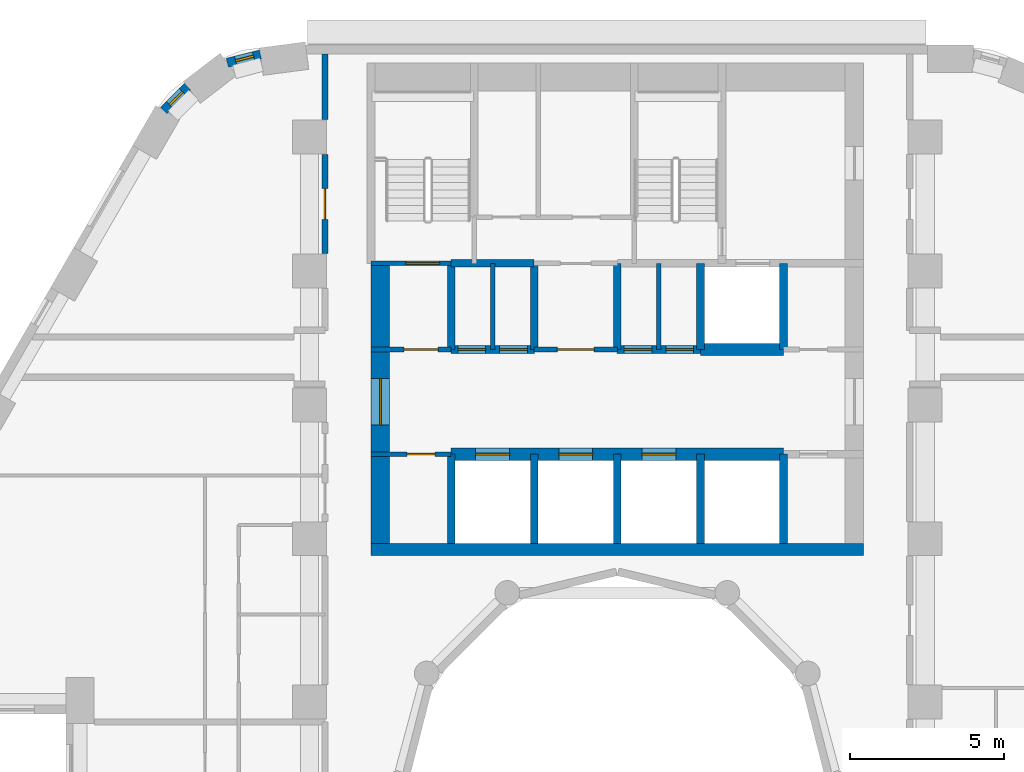
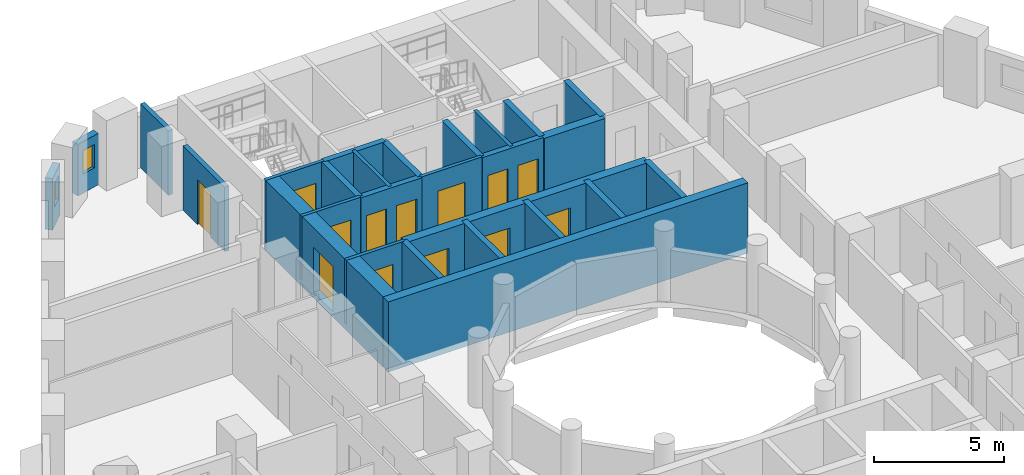
# One storey, part 7 of 12: 27 walls, 13 doors, 2 windows, 15 openings.
"""IFC4 building model written with IfcOpenShell, lengths in metres."""

from ifc_helpers import new_model, si_unit, direction, frame, frame_2d, origin, place, context, subcontext, project, spatial, rectangle, extrude, material, layer, layer_set, type_object, element, fill, save


model = new_model("IFC4")

# Units and contexts
model_context = context("Model", 3, precision=1e-05, world=origin(), true_north=direction((0.0, 1.0)))
body_context = subcontext(model_context, "Body", "Model", "MODEL_VIEW")
ifc_project = project(units=[si_unit("LENGTHUNIT", "METRE"), si_unit("AREAUNIT", "SQUARE_METRE"), si_unit("VOLUMEUNIT", "CUBIC_METRE"), si_unit("PLANEANGLEUNIT", "RADIAN"), si_unit("MASSUNIT", "GRAM", prefix="KILO")], contexts=[model_context])

# Site, building, storey
site_placement = place(None, origin())
site = spatial("IfcSite", under=ifc_project, at=site_placement, CompositionType="ELEMENT")
building_placement = place(site_placement, origin())
building = spatial("IfcBuilding", under=site, at=building_placement, Name="Nakaniwa Court", CompositionType="ELEMENT")
storey_placement = place(building_placement, frame((0.0, 0.0, 51.300048828125)))
storey = spatial("IfcBuildingStorey", under=building, at=storey_placement, Name="L13", CompositionType="ELEMENT", Elevation=51.300048828125)

# Wall, opening, door
ifc_material_1 = material(Name="Acoustic double stud partition")
ifc_layer_1 = layer(ifc_material_1, 0.199951171875)
ifc_layer_set_1 = layer_set([ifc_layer_1], Name="Acoustic double stud partition")
wall_type_1 = type_object("IfcWallType", Name="Acoustic double stud partition 200", PredefinedType="PARTITIONING", material=ifc_layer_set_1)
wall_1_placement = place(storey_placement, frame((70.5, 97.217041015625, 0.0), z_axis=(0.0, 0.0, 1.0), x_axis=(0.0, 1.0, 0.0)))
wall_1 = element("IfcWall", 1, at=wall_1_placement, inside=storey, type_object=wall_type_1, Name="Partition PW-109", PredefinedType="PARTITIONING", context=body_context, shape_type="SweptSolid", body=[
    extrude(rectangle(XDim=3.216064453125, YDim=0.199951171875, at=frame_2d((1.60791015625, 0.0))), origin(), (0.0, 0.0, 1.0), 3.02490234375),
])
opening_1_placement = place(wall_1_placement, frame((1.10791015625, 0.0, 0.0)))
opening_1 = element("IfcOpeningElement", 2, at=opening_1_placement, cuts=wall_1, Name="Opening D-02-04", PredefinedType="OPENING", context=body_context, shape_type="SweptSolid", body=[
    extrude(rectangle(XDim=1.0, YDim=2.10009765625, at=frame_2d((0.5, 1.050048828125))), frame((0.0, 0.10986328125, 0.0), z_axis=(0.0, -1.0, 0.0), x_axis=(1.0, 0.0, 0.0)), (0.0, 0.0, 1.0), 0.219970703125),
])
ifc_material_2 = material(Name="Solid core timber door set, black veneer", Category="wood")
door_type_1 = type_object("IfcDoorType", Name="Internal door 1000", OperationType="NOTDEFINED", PredefinedType="DOOR", material=ifc_material_2)
door_1_placement = place(opening_1_placement, origin())
door_1 = element("IfcDoor", 3, at=door_1_placement, inside=storey, type_object=door_type_1, Name="Door D-02-04 L13-052", OperationType="SINGLE_SWING_LEFT", OverallHeight=2.10009765625, OverallWidth=1.0, PredefinedType="DOOR", context=body_context, shape_type="SweptSolid", body=[
    extrude(rectangle(XDim=1.0, YDim=2.10009765625, at=frame_2d((0.5, 1.050048828125))), frame((0.0, 0.02490234375, 0.0), z_axis=(0.0, -1.0, 0.0), x_axis=(1.0, 0.0, 0.0)), (0.0, 0.0, 1.0), 0.050048828125),
])
fill(opening_1, door_1)

# Wall
wall_2_placement = place(storey_placement, frame((70.5, 101.56689453125, 0.0), z_axis=(0.0, 0.0, 1.0), x_axis=(0.0, 1.0, 0.0)))
element("IfcWall", 4, at=wall_2_placement, inside=storey, type_object=wall_type_1, Name="Partition PW-110", PredefinedType="PARTITIONING", context=body_context, shape_type="SweptSolid", body=[
    extrude(rectangle(XDim=2.133056640625, YDim=0.199951171875, at=frame_2d((1.06640625, 0.0))), origin(), (0.0, 0.0, 1.0), 3.02490234375),
])

# Wall, opening, window
ifc_material_3 = material(Name="Charcoal ceramic cladding")
ifc_layer_2 = layer(ifc_material_3, 0.02, Name="Ceramic cladding")
ifc_material_4 = material(Name="Ventilated air cavity")
ifc_layer_3 = layer(ifc_material_4, 0.04, ventilated=True, Name="Ventilated cavity")
ifc_material_5 = material(Name="Mineral wool insulation")
ifc_layer_4 = layer(ifc_material_5, 0.1, Name="Insulation")
ifc_material_6 = material(Name="Cement bonded sheathing board")
ifc_layer_5 = layer(ifc_material_6, 0.012, Name="Sheathing")
ifc_material_7 = material(Name="Cold-formed galvanised stud frame with mineral wool infill")
ifc_layer_6 = layer(ifc_material_7, 0.1, Name="Stud frame")
ifc_material_8 = material(Name="Fire-rated gypsum plasterboard lining")
ifc_layer_7 = layer(ifc_material_8, 0.028, Name="Lining")
ifc_layer_set_2 = layer_set([ifc_layer_2, ifc_layer_3, ifc_layer_4, ifc_layer_5, ifc_layer_6, ifc_layer_7], Name="Charcoal ceramic faced external wall system")
wall_type_2 = type_object("IfcWallType", Name="Black ceramic faced external wall 300", PredefinedType="SOLIDWALL", material=ifc_layer_set_2)
wall_3_placement = place(storey_placement, frame((68.4052734375, 103.68310546875, 0.0), z_axis=(0.0, 0.0, 1.0), x_axis=(-0.969766298956, -0.244035500304, 0.0)))
wall_3 = element("IfcWall", 5, at=wall_3_placement, inside=storey, type_object=wall_type_2, Name="L13 external wall 09", PredefinedType="SOLIDWALL", context=body_context, shape_type="SweptSolid", body=[
    extrude(rectangle(XDim=1.110595703125, YDim=0.300048828125, at=frame_2d((0.55517578125, 0.0))), origin(), (0.0, 0.0, 1.0), 2.425048828125),
])
opening_2_placement = place(wall_3_placement, frame((0.230712890625, 0.0, 0.89990234375)))
opening_2 = element("IfcOpeningElement", 6, at=opening_2_placement, cuts=wall_3, Name="Opening W8.07", PredefinedType="OPENING", context=body_context, shape_type="SweptSolid", body=[
    extrude(rectangle(XDim=0.60009765625, YDim=1.10009765625, at=frame_2d((0.300048828125, 0.550048828125))), frame((0.0, 0.159912109375, 0.0), z_axis=(0.0, -1.0, 0.0), x_axis=(1.0, 0.0, 0.0)), (0.0, 0.0, 1.0), 0.320068359375),
])
ifc_material_9 = material(Name="Black anodised aluminium frame with dark low-E laminated double glazing", Category="aluminium")
window_type = type_object("IfcWindowType", Name="Dark glass window 600x1100 sill 900", PartitioningType="SINGLE_PANEL", PredefinedType="WINDOW", material=ifc_material_9)
window_1_placement = place(opening_2_placement, origin())
window_1 = element("IfcWindow", 7, at=window_1_placement, inside=storey, type_object=window_type, Name="L13 habitable room window 09-0", OverallHeight=1.10009765625, OverallWidth=0.60009765625, PartitioningType="SINGLE_PANEL", PredefinedType="WINDOW", context=body_context, shape_type="SweptSolid", body=[
    extrude(rectangle(XDim=0.60009765625, YDim=1.10009765625, at=frame_2d((0.300048828125, 0.550048828125))), frame((0.0, 0.030029296875, 0.0), z_axis=(0.0, -1.0, 0.0), x_axis=(1.0, 0.0, 0.0)), (0.0, 0.0, 1.0), 0.06005859375),
])
fill(opening_2, window_1)

wall_4_placement = place(storey_placement, frame((66.04150390625, 102.637451171875, 0.0), z_axis=(0.0, 0.0, 1.0), x_axis=(-0.708892395813, -0.705316646024, 0.0)))
wall_4 = element("IfcWall", 8, at=wall_4_placement, inside=storey, type_object=wall_type_2, Name="L13 external wall 10", PredefinedType="SOLIDWALL", context=body_context, shape_type="SweptSolid", body=[
    extrude(rectangle(XDim=1.092529296875, YDim=0.300048828125, at=frame_2d((0.54638671875, 0.0))), origin(), (0.0, 0.0, 1.0), 2.425048828125),
])
opening_3_placement = place(wall_4_placement, frame((0.23583984375, 0.0, 0.89990234375)))
opening_3 = element("IfcOpeningElement", 9, at=opening_3_placement, cuts=wall_4, Name="Opening W8.08", PredefinedType="OPENING", context=body_context, shape_type="SweptSolid", body=[
    extrude(rectangle(XDim=0.60009765625, YDim=1.10009765625, at=frame_2d((0.300048828125, 0.550048828125))), frame((0.0, 0.159912109375, 0.0), z_axis=(0.0, -1.0, 0.0), x_axis=(1.0, 0.0, 0.0)), (0.0, 0.0, 1.0), 0.320068359375),
])
window_2_placement = place(opening_3_placement, origin())
window_2 = element("IfcWindow", 10, at=window_2_placement, inside=storey, type_object=window_type, Name="L13 habitable room window 10-0", OverallHeight=1.10009765625, OverallWidth=0.60009765625, PartitioningType="SINGLE_PANEL", PredefinedType="WINDOW", context=body_context, shape_type="SweptSolid", body=[
    extrude(rectangle(XDim=0.60009765625, YDim=1.10009765625, at=frame_2d((0.300048828125, 0.550048828125))), frame((0.0, 0.030029296875, 0.0), z_axis=(0.0, -1.0, 0.0), x_axis=(1.0, 0.0, 0.0)), (0.0, 0.0, 1.0), 0.06005859375),
])
fill(opening_3, window_2)

# Wall, opening, door
ifc_material_10 = material(Name="Blockwork partition", Category="masonry")
ifc_layer_8 = layer(ifc_material_10, 0.14990234375)
ifc_layer_set_3 = layer_set([ifc_layer_8], Name="Blockwork partition")
wall_type_3 = type_object("IfcWallType", Name="Blockwork partition 150", PredefinedType="PARTITIONING", material=ifc_layer_set_3)
wall_5_placement = place(storey_placement, frame((74.60009765625, 90.699951171875, 0.0), z_axis=(0.0, 0.0, 1.0), x_axis=(-1.0, 0.0, 0.0)))
wall_5 = element("IfcWall", 11, at=wall_5_placement, inside=storey, type_object=wall_type_3, Name="Partition PW-003", PredefinedType="PARTITIONING", context=body_context, shape_type="SweptSolid", body=[
    extrude(rectangle(XDim=2.60009765625, YDim=0.14990234375, at=frame_2d((1.300048828125, 0.0))), origin(), (0.0, 0.0, 1.0), 3.02490234375),
])
opening_4_placement = place(wall_5_placement, frame((0.52490234375, 0.0, 0.0)))
opening_4 = element("IfcOpeningElement", 12, at=opening_4_placement, cuts=wall_5, Name="Opening D-05-01", PredefinedType="OPENING", context=body_context, shape_type="SweptSolid", body=[
    extrude(rectangle(XDim=0.89990234375, YDim=2.10009765625, at=frame_2d((0.449951171875, 1.050048828125))), frame((0.0, 0.0849609375, 0.0), z_axis=(0.0, -1.0, 0.0), x_axis=(1.0, 0.0, 0.0)), (0.0, 0.0, 1.0), 0.169921875),
])
ifc_material_11 = material(Name="Fire rated steel door set", Category="steel")
door_type_2 = type_object("IfcDoorType", Name="Service room door 900", OperationType="NOTDEFINED", PredefinedType="DOOR", material=ifc_material_11)
door_2_placement = place(opening_4_placement, origin())
door_2 = element("IfcDoor", 13, at=door_2_placement, inside=storey, type_object=door_type_2, Name="Door D-05-01 L13-001", OperationType="SINGLE_SWING_RIGHT", OverallHeight=2.10009765625, OverallWidth=0.89990234375, PredefinedType="DOOR", context=body_context, shape_type="SweptSolid", body=[
    extrude(rectangle(XDim=0.89990234375, YDim=2.10009765625, at=frame_2d((0.449951171875, 1.050048828125))), frame((0.0, 0.02490234375, 0.0), z_axis=(0.0, -1.0, 0.0), x_axis=(1.0, 0.0, 0.0)), (0.0, 0.0, 1.0), 0.050048828125),
])
fill(opening_4, door_2)

wall_6_placement = place(storey_placement, frame((72.0, 94.10009765625, 0.0), z_axis=(0.0, 0.0, 1.0), x_axis=(1.0, 0.0, 0.0)))
wall_6 = element("IfcWall", 14, at=wall_6_placement, inside=storey, type_object=wall_type_3, Name="Partition PW-016", PredefinedType="PARTITIONING", context=body_context, shape_type="SweptSolid", body=[
    extrude(rectangle(XDim=2.60302734375, YDim=0.14990234375, at=frame_2d((1.301513671875, 0.0))), origin(), (0.0, 0.0, 1.0), 3.02490234375),
])
opening_5_placement = place(wall_6_placement, frame((1.074951171875, 0.0, 0.0)))
opening_5 = element("IfcOpeningElement", 15, at=opening_5_placement, cuts=wall_6, Name="Opening D-08-01", PredefinedType="OPENING", context=body_context, shape_type="SweptSolid", body=[
    extrude(rectangle(XDim=1.10009765625, YDim=2.10009765625, at=frame_2d((0.550048828125, 1.050048828125))), frame((0.0, 0.0849609375, 0.0), z_axis=(0.0, -1.0, 0.0), x_axis=(1.0, 0.0, 0.0)), (0.0, 0.0, 1.0), 0.169921875),
])
door_type_3 = type_object("IfcDoorType", Name="Stair lobby door 1100", OperationType="NOTDEFINED", PredefinedType="DOOR", material=ifc_material_11)
door_3_placement = place(opening_5_placement, origin())
door_3 = element("IfcDoor", 16, at=door_3_placement, inside=storey, type_object=door_type_3, Name="Door D-08-01 L13-003", OperationType="SINGLE_SWING_RIGHT", OverallHeight=2.10009765625, OverallWidth=1.10009765625, PredefinedType="DOOR", context=body_context, shape_type="SweptSolid", body=[
    extrude(rectangle(XDim=1.10009765625, YDim=2.10009765625, at=frame_2d((0.550048828125, 1.050048828125))), frame((0.0, 0.02490234375, 0.0), z_axis=(0.0, -1.0, 0.0), x_axis=(1.0, 0.0, 0.0)), (0.0, 0.0, 1.0), 0.050048828125),
])
fill(opening_5, door_3)

wall_7_placement = place(storey_placement, frame((77.297119140625, 94.10009765625, 0.0), z_axis=(0.0, 0.0, 1.0), x_axis=(1.0, 0.0, 0.0)))
wall_7 = element("IfcWall", 17, at=wall_7_placement, inside=storey, type_object=wall_type_3, Name="Partition PW-017", PredefinedType="PARTITIONING", context=body_context, shape_type="SweptSolid", body=[
    extrude(rectangle(XDim=2.705810546875, YDim=0.14990234375, at=frame_2d((1.35302734375, 0.0))), origin(), (0.0, 0.0, 1.0), 3.02490234375),
])
opening_6_placement = place(wall_7_placement, frame((0.7529296875, 0.0, 0.0)))
opening_6 = element("IfcOpeningElement", 18, at=opening_6_placement, cuts=wall_7, Name="Opening D-06-01", PredefinedType="OPENING", context=body_context, shape_type="SweptSolid", body=[
    extrude(rectangle(XDim=1.199951171875, YDim=2.10009765625, at=frame_2d((0.60009765625, 1.050048828125))), frame((0.0, 0.0849609375, 0.0), z_axis=(0.0, -1.0, 0.0), x_axis=(1.0, 0.0, 0.0)), (0.0, 0.0, 1.0), 0.169921875),
])
ifc_material_12 = material(Name="Fire rated steel double door set", Category="steel")
door_type_4 = type_object("IfcDoorType", Name="Service passage double door 1200", OperationType="NOTDEFINED", PredefinedType="DOOR", material=ifc_material_12)
door_4_placement = place(opening_6_placement, origin())
door_4 = element("IfcDoor", 19, at=door_4_placement, inside=storey, type_object=door_type_4, Name="Door D-06-01 L13-006", OperationType="DOUBLE_DOOR_SINGLE_SWING", OverallHeight=2.10009765625, OverallWidth=1.199951171875, PredefinedType="DOOR", context=body_context, shape_type="SweptSolid", body=[
    extrude(rectangle(XDim=1.199951171875, YDim=2.10009765625, at=frame_2d((0.60009765625, 1.050048828125))), frame((0.0, 0.02490234375, 0.0), z_axis=(0.0, -1.0, 0.0), x_axis=(1.0, 0.0, 0.0)), (0.0, 0.0, 1.0), 0.050048828125),
])
fill(opening_6, door_4)

# Walls
for number, where, z_axis, x_axis, name in (
    (20, (75.949951171875, 94.10009765625, 0.0), (0.0, 0.0, 1.0), (0.0, 1.0, 0.0), "Partition PW-023"),
    (21, (81.35009765625, 94.10009765625, 0.0), (0.0, 0.0, 1.0), (0.0, 1.0, 0.0), "Partition PW-027"),
):
    element("IfcWall", number, at=place(storey_placement, frame(where, z_axis=z_axis, x_axis=x_axis)), inside=storey, type_object=wall_type_3, Name=name, PredefinedType="PARTITIONING", context=body_context, shape_type="SweptSolid", body=[
        extrude(rectangle(XDim=2.7998046875, YDim=0.14990234375, at=frame_2d((1.39990234375, 0.0))), origin(), (0.0, 0.0, 1.0), 3.02490234375),
    ])

# Wall, opening, door
ifc_material_13 = material(Name="Concrete C100/115", Category="concrete")
ifc_layer_9 = layer(ifc_material_13, 0.60009765625)
ifc_layer_set_4 = layer_set([ifc_layer_9], Name="Concrete C100/115")
wall_type_4 = type_object("IfcWallType", Name="Concrete core side wall 600 C100", PredefinedType="SHEAR", material=ifc_layer_set_4)
wall_8_placement = place(storey_placement, frame((72.300048828125, 87.800048828125, -0.275146484375), z_axis=(0.0, 0.0, 1.0), x_axis=(0.0, 1.0, 0.0)))
wall_8 = element("IfcWall", 22, at=wall_8_placement, inside=storey, type_object=wall_type_4, Name="Core wall SW-04", PredefinedType="SHEAR", context=body_context, shape_type="SweptSolid", body=[
    extrude(rectangle(XDim=9.099853515625, YDim=0.60009765625, at=frame_2d((4.5498046875, 0.0))), origin(), (0.0, 0.0, 1.0), 3.300048828125),
])
opening_7_placement = place(wall_8_placement, frame((3.85009765625, 0.0, 0.27490234375)))
opening_7 = element("IfcOpeningElement", 23, at=opening_7_placement, cuts=wall_8, Name="Opening D-07-02", PredefinedType="OPENING", context=body_context, shape_type="SweptSolid", body=[
    extrude(rectangle(XDim=1.5, YDim=2.10009765625, at=frame_2d((0.75, 1.050048828125))), frame((0.0, 0.31005859375, 0.0), z_axis=(0.0, -1.0, 0.0), x_axis=(1.0, 0.0, 0.0)), (0.0, 0.0, 1.0), 0.6201171875),
])
ifc_material_14 = material(Name="Glazed fire rated steel double door set", Category="steel")
door_type_5 = type_object("IfcDoorType", Name="Lobby double door 1500", OperationType="NOTDEFINED", PredefinedType="DOOR", material=ifc_material_14)
door_5_placement = place(opening_7_placement, origin())
door_5 = element("IfcDoor", 24, at=door_5_placement, inside=storey, type_object=door_type_5, Name="Door D-07-02 L13-057", OperationType="DOUBLE_DOOR_SINGLE_SWING", OverallHeight=2.10009765625, OverallWidth=1.5, PredefinedType="DOOR", context=body_context, shape_type="SweptSolid", body=[
    extrude(rectangle(XDim=1.5, YDim=2.10009765625, at=frame_2d((0.75, 1.050048828125))), frame((0.0, 0.02490234375, 0.0), z_axis=(0.0, -1.0, 0.0), x_axis=(1.0, 0.0, 0.0)), (0.0, 0.0, 1.0), 0.050048828125),
])
fill(opening_7, door_5)

# Wall, openings, doors
ifc_layer_10 = layer(ifc_material_13, 0.39990234375)
ifc_layer_set_5 = layer_set([ifc_layer_10], Name="Concrete C100/115")
wall_type_5 = type_object("IfcWallType", Name="Concrete core spine wall 400 C100", PredefinedType="SHEAR", material=ifc_layer_set_5)
wall_9_placement = place(storey_placement, frame((74.60009765625, 90.699951171875, -0.275146484375), z_axis=(0.0, 0.0, 1.0), x_axis=(1.0, 0.0, 0.0)))
wall_9 = element("IfcWall", 25, at=wall_9_placement, inside=storey, type_object=wall_type_5, Name="Core wall SW-07", PredefinedType="SHEAR", context=body_context, shape_type="SweptSolid", body=[
    extrude(rectangle(XDim=10.7998046875, YDim=0.39990234375, at=frame_2d((5.39990234375, 0.0))), origin(), (0.0, 0.0, 1.0), 3.300048828125),
])
opening_8_placement = place(wall_9_placement, frame((0.800048828125, 0.0, 0.27490234375)))
opening_8 = element("IfcOpeningElement", 26, at=opening_8_placement, cuts=wall_9, Name="Opening LD01", PredefinedType="OPENING", context=body_context, shape_type="SweptSolid", body=[
    extrude(rectangle(XDim=1.10009765625, YDim=2.10009765625, at=frame_2d((0.550048828125, 1.050048828125))), frame((0.0, 0.2099609375, 0.0), z_axis=(0.0, -1.0, 0.0), x_axis=(1.0, 0.0, 0.0)), (0.0, 0.0, 1.0), 0.419921875),
])
opening_9_placement = place(wall_9_placement, frame((3.5, 0.0, 0.27490234375)))
opening_9 = element("IfcOpeningElement", 27, at=opening_9_placement, cuts=wall_9, Name="Opening LD02", PredefinedType="OPENING", context=body_context, shape_type="SweptSolid", body=[
    extrude(rectangle(XDim=1.10009765625, YDim=2.10009765625, at=frame_2d((0.550048828125, 1.050048828125))), frame((0.0, 0.2099609375, 0.0), z_axis=(0.0, -1.0, 0.0), x_axis=(1.0, 0.0, 0.0)), (0.0, 0.0, 1.0), 0.419921875),
])
opening_10_placement = place(wall_9_placement, frame((6.199951171875, 0.0, 0.27490234375)))
opening_10 = element("IfcOpeningElement", 28, at=opening_10_placement, cuts=wall_9, Name="Opening LD03", PredefinedType="OPENING", context=body_context, shape_type="SweptSolid", body=[
    extrude(rectangle(XDim=1.10009765625, YDim=2.10009765625, at=frame_2d((0.550048828125, 1.050048828125))), frame((0.0, 0.2099609375, 0.0), z_axis=(0.0, -1.0, 0.0), x_axis=(1.0, 0.0, 0.0)), (0.0, 0.0, 1.0), 0.419921875),
])
ifc_material_15 = material(Name="Stainless steel sliding lift landing door", Category="steel")
door_type_6 = type_object("IfcDoorType", Name="Lift landing door 1100", OperationType="NOTDEFINED", PredefinedType="DOOR", material=ifc_material_15)
door_6_placement = place(opening_8_placement, origin())
door_6 = element("IfcDoor", 29, at=door_6_placement, inside=storey, type_object=door_type_6, Name="Lift landing door LD01 L13-001", OperationType="SLIDING_TO_LEFT", OverallHeight=2.10009765625, OverallWidth=1.10009765625, PredefinedType="DOOR", context=body_context, shape_type="SweptSolid", body=[
    extrude(rectangle(XDim=1.10009765625, YDim=2.10009765625, at=frame_2d((0.550048828125, 1.050048828125))), frame((0.0, 0.02490234375, 0.0), z_axis=(0.0, -1.0, 0.0), x_axis=(1.0, 0.0, 0.0)), (0.0, 0.0, 1.0), 0.050048828125),
])
fill(opening_8, door_6)
door_7_placement = place(opening_9_placement, origin())
door_7 = element("IfcDoor", 30, at=door_7_placement, inside=storey, type_object=door_type_6, Name="Lift landing door LD02 L13-002", OperationType="SLIDING_TO_LEFT", OverallHeight=2.10009765625, OverallWidth=1.10009765625, PredefinedType="DOOR", context=body_context, shape_type="SweptSolid", body=[
    extrude(rectangle(XDim=1.10009765625, YDim=2.10009765625, at=frame_2d((0.550048828125, 1.050048828125))), frame((0.0, 0.02490234375, 0.0), z_axis=(0.0, -1.0, 0.0), x_axis=(1.0, 0.0, 0.0)), (0.0, 0.0, 1.0), 0.050048828125),
])
fill(opening_9, door_7)
door_8_placement = place(opening_10_placement, origin())
door_8 = element("IfcDoor", 31, at=door_8_placement, inside=storey, type_object=door_type_6, Name="Lift landing door LD03 L13-003", OperationType="SLIDING_TO_LEFT", OverallHeight=2.10009765625, OverallWidth=1.10009765625, PredefinedType="DOOR", context=body_context, shape_type="SweptSolid", body=[
    extrude(rectangle(XDim=1.10009765625, YDim=2.10009765625, at=frame_2d((0.550048828125, 1.050048828125))), frame((0.0, 0.02490234375, 0.0), z_axis=(0.0, -1.0, 0.0), x_axis=(1.0, 0.0, 0.0)), (0.0, 0.0, 1.0), 0.050048828125),
])
fill(opening_10, door_8)

# Wall
wall_10_placement = place(storey_placement, frame((82.697021484375, 94.10009765625, -0.275146484375), z_axis=(0.0, 0.0, 1.0), x_axis=(1.0, 0.0, 0.0)))
element("IfcWall", 32, at=wall_10_placement, inside=storey, type_object=wall_type_5, Name="Core wall SW-21", PredefinedType="SHEAR", context=body_context, shape_type="SweptSolid", body=[
    extrude(rectangle(XDim=2.7060546875, YDim=0.39990234375, at=frame_2d((1.35302734375, 0.0))), origin(), (0.0, 0.0, 1.0), 3.300048828125),
])

# Wall, opening, door
ifc_layer_11 = layer(ifc_material_13, 0.14990234375)
ifc_layer_set_6 = layer_set([ifc_layer_11], Name="Concrete C100/115")
wall_type_6 = type_object("IfcWallType", Name="Concrete core wall 150 C100", PredefinedType="SHEAR", material=ifc_layer_set_6)
wall_11_placement = place(storey_placement, frame((74.60009765625, 96.89990234375, -0.275146484375), z_axis=(0.0, 0.0, 1.0), x_axis=(-1.0, 0.0, 0.0)))
wall_11 = element("IfcWall", 33, at=wall_11_placement, inside=storey, type_object=wall_type_6, Name="Core wall SW-22", PredefinedType="SHEAR", context=body_context, shape_type="SweptSolid", body=[
    extrude(rectangle(XDim=2.60009765625, YDim=0.14990234375, at=frame_2d((1.300048828125, 0.0))), origin(), (0.0, 0.0, 1.0), 3.300048828125),
])
opening_11_placement = place(wall_11_placement, frame((0.3701171875, 0.0, 0.27490234375)))
opening_11 = element("IfcOpeningElement", 34, at=opening_11_placement, cuts=wall_11, Name="Opening D-09-01", PredefinedType="OPENING", context=body_context, shape_type="SweptSolid", body=[
    extrude(rectangle(XDim=1.10009765625, YDim=2.10009765625, at=frame_2d((0.550048828125, 1.050048828125))), frame((0.0, 0.0849609375, 0.0), z_axis=(0.0, -1.0, 0.0), x_axis=(1.0, 0.0, 0.0)), (0.0, 0.0, 1.0), 0.169921875),
])
door_type_7 = type_object("IfcDoorType", Name="Stair door 1100", OperationType="NOTDEFINED", PredefinedType="DOOR", material=ifc_material_11)
door_9_placement = place(opening_11_placement, origin())
door_9 = element("IfcDoor", 35, at=door_9_placement, inside=storey, type_object=door_type_7, Name="Door D-09-01 L13-013", OperationType="SINGLE_SWING_LEFT", OverallHeight=2.10009765625, OverallWidth=1.10009765625, PredefinedType="DOOR", context=body_context, shape_type="SweptSolid", body=[
    extrude(rectangle(XDim=1.10009765625, YDim=2.10009765625, at=frame_2d((0.550048828125, 1.050048828125))), frame((0.0, 0.02490234375, 0.0), z_axis=(0.0, -1.0, 0.0), x_axis=(1.0, 0.0, 0.0)), (0.0, 0.0, 1.0), 0.050048828125),
])
fill(opening_11, door_9)

# Walls
ifc_layer_12 = layer(ifc_material_13, 0.39990234375)
ifc_layer_set_7 = layer_set([ifc_layer_12], Name="Concrete C100/115")
wall_type_7 = type_object("IfcWallType", Name="Concrete core well wall 400 C100", PredefinedType="SHEAR", material=ifc_layer_set_7)
wall_12_placement = place(storey_placement, frame((72.00390625, 87.60009765625, -0.275146484375), z_axis=(0.0, 0.0, 1.0), x_axis=(1.0, 0.0, 0.0)))
element("IfcWall", 36, at=wall_12_placement, inside=storey, type_object=wall_type_7, Name="Core wall SW-133", PredefinedType="SHEAR", context=body_context, shape_type="SweptSolid", body=[
    extrude(rectangle(XDim=15.9921875, YDim=0.39990234375, at=frame_2d((7.99609375, 0.0))), origin(), (0.0, 0.0, 1.0), 3.300048828125),
])
ifc_layer_13 = layer(ifc_material_13, 0.25)
ifc_layer_set_8 = layer_set([ifc_layer_13], Name="Concrete C100/115")
wall_type_8 = type_object("IfcWallType", Name="Concrete shaft wall 250 C100", PredefinedType="SHEAR", material=ifc_layer_set_8)
wall_13_placement = place(storey_placement, frame((74.60009765625, 87.800048828125, -0.275146484375), z_axis=(0.0, 0.0, 1.0), x_axis=(0.0, 1.0, 0.0)))
element("IfcWall", 37, at=wall_13_placement, inside=storey, type_object=wall_type_8, Name="Core wall SW-01", PredefinedType="SHEAR", context=body_context, shape_type="SweptSolid", body=[
    extrude(rectangle(XDim=2.89990234375, YDim=0.25, at=frame_2d((1.449951171875, 0.0))), origin(), (0.0, 0.0, 1.0), 3.300048828125),
])
wall_14_placement = place(storey_placement, frame((74.60009765625, 94.10009765625, -0.275146484375), z_axis=(0.0, 0.0, 1.0), x_axis=(0.0, 1.0, 0.0)))
element("IfcWall", 38, at=wall_14_placement, inside=storey, type_object=wall_type_8, Name="Core wall SW-02", PredefinedType="SHEAR", context=body_context, shape_type="SweptSolid", body=[
    extrude(rectangle(XDim=2.7998046875, YDim=0.25, at=frame_2d((1.39990234375, 0.0))), origin(), (0.0, 0.0, 1.0), 3.300048828125),
])
wall_15_placement = place(storey_placement, frame((77.300048828125, 87.800048828125, -0.275146484375), z_axis=(0.0, 0.0, 1.0), x_axis=(0.0, 1.0, 0.0)))
element("IfcWall", 39, at=wall_15_placement, inside=storey, type_object=wall_type_8, Name="Core wall SW-05", PredefinedType="SHEAR", context=body_context, shape_type="SweptSolid", body=[
    extrude(rectangle(XDim=2.89990234375, YDim=0.25, at=frame_2d((1.449951171875, 0.0))), origin(), (0.0, 0.0, 1.0), 3.300048828125),
])
wall_16_placement = place(storey_placement, frame((77.300048828125, 94.10009765625, -0.275146484375), z_axis=(0.0, 0.0, 1.0), x_axis=(0.0, 1.0, 0.0)))
element("IfcWall", 40, at=wall_16_placement, inside=storey, type_object=wall_type_8, Name="Core wall SW-06", PredefinedType="SHEAR", context=body_context, shape_type="SweptSolid", body=[
    extrude(rectangle(XDim=2.7998046875, YDim=0.25, at=frame_2d((1.39990234375, 0.0))), origin(), (0.0, 0.0, 1.0), 3.300048828125),
])
wall_17_placement = place(storey_placement, frame((80.0, 87.800048828125, -0.275146484375), z_axis=(0.0, 0.0, 1.0), x_axis=(0.0, 1.0, 0.0)))
element("IfcWall", 41, at=wall_17_placement, inside=storey, type_object=wall_type_8, Name="Core wall SW-08", PredefinedType="SHEAR", context=body_context, shape_type="SweptSolid", body=[
    extrude(rectangle(XDim=2.89990234375, YDim=0.25, at=frame_2d((1.449951171875, 0.0))), origin(), (0.0, 0.0, 1.0), 3.300048828125),
])
wall_18_placement = place(storey_placement, frame((80.0, 94.10009765625, -0.275146484375), z_axis=(0.0, 0.0, 1.0), x_axis=(0.0, 1.0, 0.0)))
element("IfcWall", 42, at=wall_18_placement, inside=storey, type_object=wall_type_8, Name="Core wall SW-09", PredefinedType="SHEAR", context=body_context, shape_type="SweptSolid", body=[
    extrude(rectangle(XDim=2.7998046875, YDim=0.25, at=frame_2d((1.39990234375, 0.0))), origin(), (0.0, 0.0, 1.0), 3.300048828125),
])
wall_19_placement = place(storey_placement, frame((82.699951171875, 87.800048828125, -0.275146484375), z_axis=(0.0, 0.0, 1.0), x_axis=(0.0, 1.0, 0.0)))
element("IfcWall", 43, at=wall_19_placement, inside=storey, type_object=wall_type_8, Name="Core wall SW-10", PredefinedType="SHEAR", context=body_context, shape_type="SweptSolid", body=[
    extrude(rectangle(XDim=2.89990234375, YDim=0.25, at=frame_2d((1.449951171875, 0.0))), origin(), (0.0, 0.0, 1.0), 3.300048828125),
])
wall_20_placement = place(storey_placement, frame((82.699951171875, 94.10009765625, -0.275146484375), z_axis=(0.0, 0.0, 1.0), x_axis=(0.0, 1.0, 0.0)))
element("IfcWall", 44, at=wall_20_placement, inside=storey, type_object=wall_type_8, Name="Core wall SW-11", PredefinedType="SHEAR", context=body_context, shape_type="SweptSolid", body=[
    extrude(rectangle(XDim=2.7998046875, YDim=0.25, at=frame_2d((1.39990234375, 0.0))), origin(), (0.0, 0.0, 1.0), 3.300048828125),
])
wall_21_placement = place(storey_placement, frame((85.39990234375, 87.800048828125, -0.275146484375), z_axis=(0.0, 0.0, 1.0), x_axis=(0.0, 1.0, 0.0)))
element("IfcWall", 45, at=wall_21_placement, inside=storey, type_object=wall_type_8, Name="Core wall SW-12", PredefinedType="SHEAR", context=body_context, shape_type="SweptSolid", body=[
    extrude(rectangle(XDim=2.89990234375, YDim=0.25, at=frame_2d((1.449951171875, 0.0))), origin(), (0.0, 0.0, 1.0), 3.300048828125),
])
wall_22_placement = place(storey_placement, frame((85.39990234375, 94.10009765625, -0.275146484375), z_axis=(0.0, 0.0, 1.0), x_axis=(0.0, 1.0, 0.0)))
element("IfcWall", 46, at=wall_22_placement, inside=storey, type_object=wall_type_8, Name="Core wall SW-13", PredefinedType="SHEAR", context=body_context, shape_type="SweptSolid", body=[
    extrude(rectangle(XDim=2.7998046875, YDim=0.25, at=frame_2d((1.39990234375, 0.0))), origin(), (0.0, 0.0, 1.0), 3.300048828125),
])

# Wall, openings, doors
wall_23_placement = place(storey_placement, frame((74.596923828125, 94.10009765625, -0.275146484375), z_axis=(0.0, 0.0, 1.0), x_axis=(1.0, 0.0, 0.0)))
wall_23 = element("IfcWall", 47, at=wall_23_placement, inside=storey, type_object=wall_type_8, Name="Core wall SW-19", PredefinedType="SHEAR", context=body_context, shape_type="SweptSolid", body=[
    extrude(rectangle(XDim=2.7060546875, YDim=0.25, at=frame_2d((1.35302734375, 0.0))), origin(), (0.0, 0.0, 1.0), 3.300048828125),
])
opening_12_placement = place(wall_23_placement, frame((0.22802734375, 0.0, 0.27490234375)))
opening_12 = element("IfcOpeningElement", 48, at=opening_12_placement, cuts=wall_23, Name="Opening D-05-03", PredefinedType="OPENING", context=body_context, shape_type="SweptSolid", body=[
    extrude(rectangle(XDim=0.89990234375, YDim=2.10009765625, at=frame_2d((0.449951171875, 1.050048828125))), frame((0.0, 0.135009765625, 0.0), z_axis=(0.0, -1.0, 0.0), x_axis=(1.0, 0.0, 0.0)), (0.0, 0.0, 1.0), 0.27001953125),
])
opening_13_placement = place(wall_23_placement, frame((1.577880859375, 0.0, 0.27490234375)))
opening_13 = element("IfcOpeningElement", 49, at=opening_13_placement, cuts=wall_23, Name="Opening D-05-04", PredefinedType="OPENING", context=body_context, shape_type="SweptSolid", body=[
    extrude(rectangle(XDim=0.89990234375, YDim=2.10009765625, at=frame_2d((0.449951171875, 1.050048828125))), frame((0.0, 0.135009765625, 0.0), z_axis=(0.0, -1.0, 0.0), x_axis=(1.0, 0.0, 0.0)), (0.0, 0.0, 1.0), 0.27001953125),
])
door_10_placement = place(opening_12_placement, origin())
door_10 = element("IfcDoor", 50, at=door_10_placement, inside=storey, type_object=door_type_2, Name="Door D-05-03 L13-004", OperationType="SINGLE_SWING_LEFT", OverallHeight=2.10009765625, OverallWidth=0.89990234375, PredefinedType="DOOR", context=body_context, shape_type="SweptSolid", body=[
    extrude(rectangle(XDim=0.89990234375, YDim=2.10009765625, at=frame_2d((0.449951171875, 1.050048828125))), frame((0.0, 0.02490234375, 0.0), z_axis=(0.0, -1.0, 0.0), x_axis=(1.0, 0.0, 0.0)), (0.0, 0.0, 1.0), 0.050048828125),
])
fill(opening_12, door_10)
door_11_placement = place(opening_13_placement, origin())
door_11 = element("IfcDoor", 51, at=door_11_placement, inside=storey, type_object=door_type_2, Name="Door D-05-04 L13-005", OperationType="SINGLE_SWING_RIGHT", OverallHeight=2.10009765625, OverallWidth=0.89990234375, PredefinedType="DOOR", context=body_context, shape_type="SweptSolid", body=[
    extrude(rectangle(XDim=0.89990234375, YDim=2.10009765625, at=frame_2d((0.449951171875, 1.050048828125))), frame((0.0, 0.02490234375, 0.0), z_axis=(0.0, -1.0, 0.0), x_axis=(1.0, 0.0, 0.0)), (0.0, 0.0, 1.0), 0.050048828125),
])
fill(opening_13, door_11)

wall_24_placement = place(storey_placement, frame((79.9970703125, 94.10009765625, -0.275146484375), z_axis=(0.0, 0.0, 1.0), x_axis=(1.0, 0.0, 0.0)))
wall_24 = element("IfcWall", 52, at=wall_24_placement, inside=storey, type_object=wall_type_8, Name="Core wall SW-20", PredefinedType="SHEAR", context=body_context, shape_type="SweptSolid", body=[
    extrude(rectangle(XDim=2.705810546875, YDim=0.25, at=frame_2d((1.35302734375, 0.0))), origin(), (0.0, 0.0, 1.0), 3.300048828125),
])
opening_14_placement = place(wall_24_placement, frame((0.22802734375, 0.0, 0.27490234375)))
opening_14 = element("IfcOpeningElement", 53, at=opening_14_placement, cuts=wall_24, Name="Opening D-05-05", PredefinedType="OPENING", context=body_context, shape_type="SweptSolid", body=[
    extrude(rectangle(XDim=0.89990234375, YDim=2.10009765625, at=frame_2d((0.449951171875, 1.050048828125))), frame((0.0, 0.135009765625, 0.0), z_axis=(0.0, -1.0, 0.0), x_axis=(1.0, 0.0, 0.0)), (0.0, 0.0, 1.0), 0.27001953125),
])
opening_15_placement = place(wall_24_placement, frame((1.577880859375, 0.0, 0.27490234375)))
opening_15 = element("IfcOpeningElement", 54, at=opening_15_placement, cuts=wall_24, Name="Opening D-05-06", PredefinedType="OPENING", context=body_context, shape_type="SweptSolid", body=[
    extrude(rectangle(XDim=0.89990234375, YDim=2.10009765625, at=frame_2d((0.449951171875, 1.050048828125))), frame((0.0, 0.135009765625, 0.0), z_axis=(0.0, -1.0, 0.0), x_axis=(1.0, 0.0, 0.0)), (0.0, 0.0, 1.0), 0.27001953125),
])
door_12_placement = place(opening_14_placement, origin())
door_12 = element("IfcDoor", 55, at=door_12_placement, inside=storey, type_object=door_type_2, Name="Door D-05-05 L13-007", OperationType="SINGLE_SWING_RIGHT", OverallHeight=2.10009765625, OverallWidth=0.89990234375, PredefinedType="DOOR", context=body_context, shape_type="SweptSolid", body=[
    extrude(rectangle(XDim=0.89990234375, YDim=2.10009765625, at=frame_2d((0.449951171875, 1.050048828125))), frame((0.0, 0.02490234375, 0.0), z_axis=(0.0, -1.0, 0.0), x_axis=(1.0, 0.0, 0.0)), (0.0, 0.0, 1.0), 0.050048828125),
])
fill(opening_14, door_12)
door_13_placement = place(opening_15_placement, origin())
door_13 = element("IfcDoor", 56, at=door_13_placement, inside=storey, type_object=door_type_2, Name="Door D-05-06 L13-008", OperationType="SINGLE_SWING_LEFT", OverallHeight=2.10009765625, OverallWidth=0.89990234375, PredefinedType="DOOR", context=body_context, shape_type="SweptSolid", body=[
    extrude(rectangle(XDim=0.89990234375, YDim=2.10009765625, at=frame_2d((0.449951171875, 1.050048828125))), frame((0.0, 0.02490234375, 0.0), z_axis=(0.0, -1.0, 0.0), x_axis=(1.0, 0.0, 0.0)), (0.0, 0.0, 1.0), 0.050048828125),
])
fill(opening_15, door_13)

# Wall
wall_25_placement = place(storey_placement, frame((74.60009765625, 96.89990234375, -0.275146484375), z_axis=(0.0, 0.0, 1.0), x_axis=(1.0, 0.0, 0.0)))
element("IfcWall", 57, at=wall_25_placement, inside=storey, type_object=wall_type_8, Name="Core wall SW-24", PredefinedType="SHEAR", context=body_context, shape_type="SweptSolid", body=[
    extrude(rectangle(XDim=2.699951171875, YDim=0.25, at=frame_2d((1.35009765625, 0.0))), origin(), (0.0, 0.0, 1.0), 3.300048828125),
])

save(model, "model.ifc")
